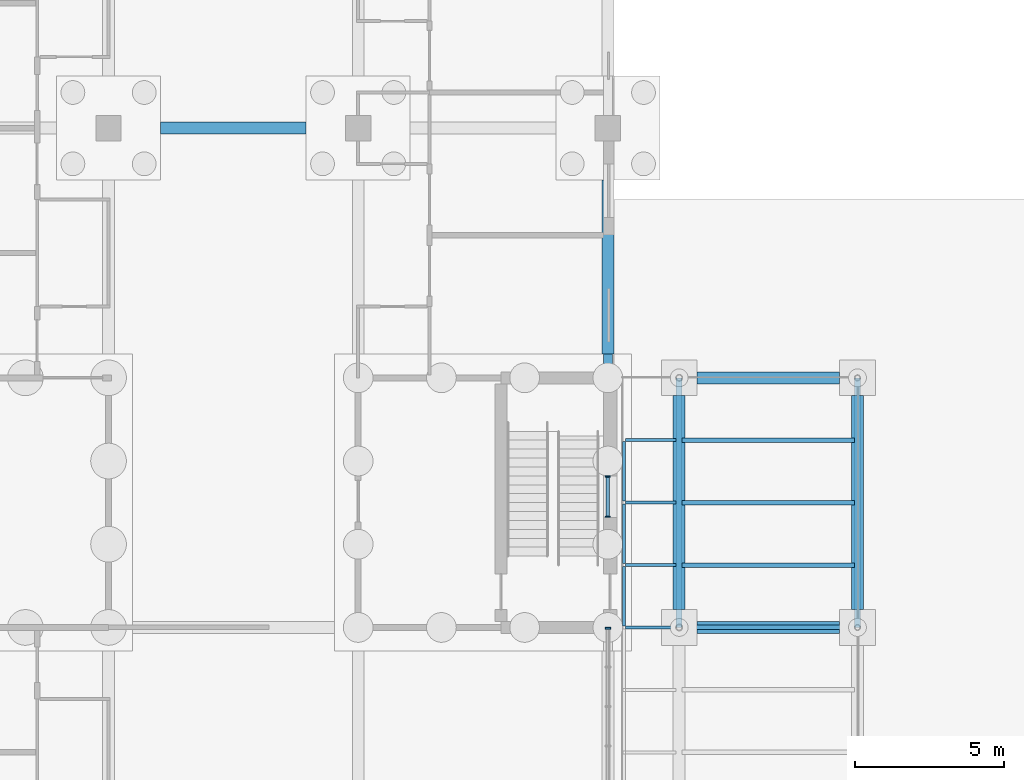
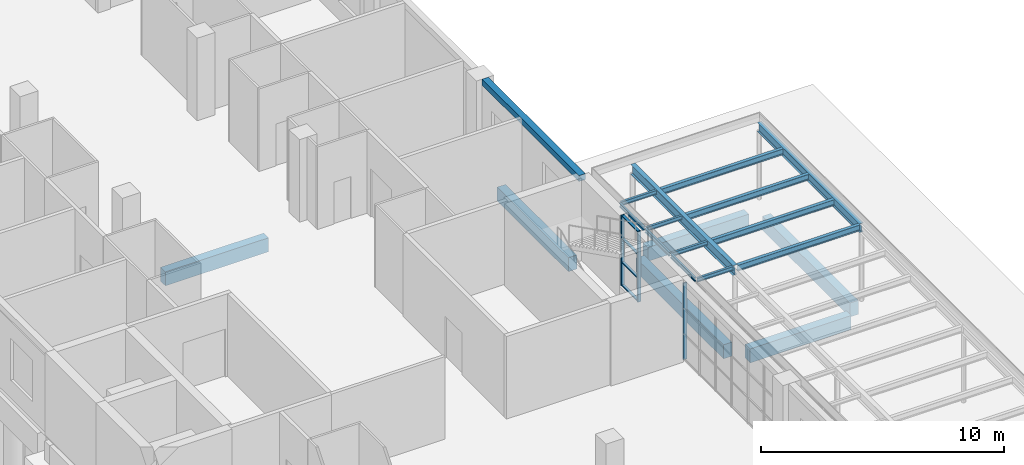
# One storey, part 72 of 138: 20 beams, 7 members, 2 elements without a shape of their own.
"""IFC4 building model written with IfcOpenShell, lengths in metres."""

from ifc_helpers import new_model, si_unit, direction, frame, origin, origin_2d, place, context, subcontext, project, spatial, rectangle, i_section, extrude, material, material_profile, profile_set, type_object, element, aggregate, save


model = new_model("IFC4")

# Units and contexts
model_context = context("Model", 3, precision=1e-05, world=origin(), true_north=direction((0.0, 1.0)))
body_context = subcontext(model_context, "Body", "Model", "MODEL_VIEW")
ifc_project = project(units=[si_unit("LENGTHUNIT", "METRE"), si_unit("AREAUNIT", "SQUARE_METRE"), si_unit("VOLUMEUNIT", "CUBIC_METRE"), si_unit("PLANEANGLEUNIT", "RADIAN"), si_unit("MASSUNIT", "GRAM", prefix="KILO")], contexts=[model_context])

# Site, building, storey
site_placement = place(None, origin())
site = spatial("IfcSite", under=ifc_project, at=site_placement, CompositionType="ELEMENT")
building_placement = place(site_placement, origin())
building = spatial("IfcBuilding", under=site, at=building_placement, Name="Yavir Park General Hospital", CompositionType="ELEMENT")
storey_placement = place(building_placement, origin())
storey = spatial("IfcBuildingStorey", under=building, at=storey_placement, Name="L00", CompositionType="ELEMENT", Elevation=0.0)

# Curtain wall, member
ifc_material_1 = material(Name="Aluminium curtain wall frame with insulated glazing", Category="aluminium")
curtain_wall_type_1 = type_object("IfcCurtainWallType", Name="Ambulance entrance glazing, 3840 high, 1400 module", PredefinedType="NOTDEFINED", material=ifc_material_1)
curtain_wall_1_placement = place(storey_placement, origin())
curtain_wall_1 = element("IfcCurtainWall", 1, at=curtain_wall_1_placement, inside=storey, type_object=curtain_wall_type_1, Name="CW13 L00-075", PredefinedType="NOTDEFINED")
ifc_material_2 = material(Name="Aluminium", Category="aluminium")
ifc_material_profile_1 = material_profile(ifc_material_2, rectangle(XDim=0.179931640625, YDim=0.06005859375, at=origin_2d()), Name="AL 60x180")
ifc_profile_set_1 = profile_set([ifc_material_profile_1], Name="Aluminium")
member_type_1 = type_object("IfcMemberType", Name="Ambulance entrance glazing, 3840 high mullion 60 x 180", PredefinedType="MULLION", material=ifc_profile_set_1)
member_1_placement = place(storey_placement, frame((168.0, 75.570068359375, 0.0), z_axis=(0.0, 0.0, 1.0), x_axis=(-1.0, 0.0, 0.0)))
member_1 = element("IfcMember", 2, at=member_1_placement, type_object=member_type_1, Name="CW13 mullion 7", PredefinedType="MULLION", context=body_context, shape_type="SweptSolid", body=[
    extrude(rectangle(XDim=0.179931640625, YDim=0.06005859375, at=origin_2d()), origin(), (0.0, 0.0, 1.0), 3.840087890625),
])
aggregate(curtain_wall_1, [member_1])

# Beams
ifc_material_3 = material(Name="Steel S355", Category="steel")
ifc_material_profile_2 = material_profile(ifc_material_3, i_section(OverallWidth=0.10009765625, OverallDepth=0.199951171875, WebThickness=0.005615234375, FlangeThickness=0.008544921875, FilletRadius=0.011962890625, at=origin_2d()), Name="IPE200")
ifc_profile_set_2 = profile_set([ifc_material_profile_2], Name="Steel S355")
beam_type_1 = type_object("IfcBeamType", Name="IPE 200 cantilever secondary beam, up to 2 m", PredefinedType="JOIST", material=ifc_profile_set_2)
for number, where, z_axis, x_axis, name in (
    (3, (168.60009765625, 75.60009765625, 3.75), (1.0, 0.0, 0.0), (0.0, 1.0, 0.0), "B:AMB:J12-0"),
    (4, (168.60009765625, 77.699951171875, 3.75), (1.0, 0.0, 0.0), (0.0, 1.0, 0.0), "B:AMB:J13-0"),
    (5, (168.60009765625, 79.800048828125, 3.75), (1.0, 0.0, 0.0), (0.0, 1.0, 0.0), "B:AMB:J14-0"),
    (6, (168.60009765625, 81.89990234375, 3.75), (1.0, 0.0, 0.0), (0.0, 1.0, 0.0), "B:AMB:J15-0"),
):
    element("IfcBeam", number, at=place(storey_placement, frame(where, z_axis=z_axis, x_axis=x_axis)), inside=storey, type_object=beam_type_1, Name=name, PredefinedType="JOIST", context=body_context, shape_type="SweptSolid", body=[
        extrude(i_section(OverallWidth=0.10009765625, OverallDepth=0.199951171875, WebThickness=0.005615234375, FlangeThickness=0.008544921875, FilletRadius=0.011962890625, at=origin_2d()), origin(), (0.0, 0.0, 1.0), 1.699951171875),
    ])
ifc_material_4 = material(Name="Steel S355", Category="steel")
ifc_material_profile_3 = material_profile(ifc_material_4, i_section(OverallWidth=0.10009765625, OverallDepth=0.199951171875, WebThickness=0.005615234375, FlangeThickness=0.008544921875, FilletRadius=0.011962890625, at=origin_2d()), Name="IPE200")
ifc_profile_set_3 = profile_set([ifc_material_profile_3], Name="Steel S355")
beam_type_2 = type_object("IfcBeamType", Name="IPE 200 edge trimmer, up to 2 m span", PredefinedType="BEAM", material=ifc_profile_set_3)
for number, where, z_axis, x_axis, name in (
    (7, (168.550048828125, 75.64990234375, 3.75), (0.0, 1.0, 0.0), (-1.0, 0.0, 0.0), "B:AMB:T12"),
    (8, (168.550048828125, 77.75, 3.75), (0.0, 1.0, 0.0), (-1.0, 0.0, 0.0), "B:AMB:T13"),
    (9, (168.550048828125, 79.85009765625, 3.75), (0.0, 1.0, 0.0), (-1.0, 0.0, 0.0), "B:AMB:T14"),
):
    element("IfcBeam", number, at=place(storey_placement, frame(where, z_axis=z_axis, x_axis=x_axis)), inside=storey, type_object=beam_type_2, Name=name, PredefinedType="BEAM", context=body_context, shape_type="SweptSolid", body=[
        extrude(i_section(OverallWidth=0.10009765625, OverallDepth=0.199951171875, WebThickness=0.005615234375, FlangeThickness=0.008544921875, FilletRadius=0.011962890625, at=origin_2d()), origin(), (0.0, 0.0, 1.0), 2.0),
    ])
ifc_material_5 = material(Name="Steel S355", Category="steel")
ifc_material_profile_4 = material_profile(ifc_material_5, i_section(OverallWidth=0.14990234375, OverallDepth=0.300048828125, WebThickness=0.007080078125, FlangeThickness=0.0107421875, FilletRadius=0.014892578125, at=origin_2d()), Name="IPE300")
ifc_profile_set_4 = profile_set([ifc_material_profile_4], Name="Steel S355")
beam_type_3 = type_object("IfcBeamType", Name="IPE 300 secondary beam, up to 6 m span", PredefinedType="JOIST", material=ifc_profile_set_4)
for number, where, z_axis, x_axis, name in (
    (10, (170.5, 75.60009765625, 3.699951171875), (1.0, 0.0, 0.0), (0.0, 1.0, 0.0), "B:AMB:J12-1"),
    (11, (170.5, 77.699951171875, 3.699951171875), (1.0, 0.0, 0.0), (0.0, 1.0, 0.0), "B:AMB:J13-1"),
    (12, (170.5, 79.800048828125, 3.699951171875), (1.0, 0.0, 0.0), (0.0, 1.0, 0.0), "B:AMB:J14-1"),
    (13, (170.5, 81.89990234375, 3.699951171875), (1.0, 0.0, 0.0), (0.0, 1.0, 0.0), "B:AMB:J15-1"),
):
    element("IfcBeam", number, at=place(storey_placement, frame(where, z_axis=z_axis, x_axis=x_axis)), inside=storey, type_object=beam_type_3, Name=name, PredefinedType="JOIST", context=body_context, shape_type="SweptSolid", body=[
        extrude(i_section(OverallWidth=0.14990234375, OverallDepth=0.300048828125, WebThickness=0.007080078125, FlangeThickness=0.0107421875, FilletRadius=0.014892578125, at=origin_2d()), origin(), (0.0, 0.0, 1.0), 5.804931640625),
    ])
ifc_material_6 = material(Name="Steel S355", Category="steel")
ifc_material_profile_5 = material_profile(ifc_material_6, i_section(OverallWidth=0.18994140625, OverallDepth=0.449951171875, WebThickness=0.009521484375, FlangeThickness=0.0146484375, FilletRadius=0.02099609375, at=origin_2d()), Name="IPE450")
ifc_profile_set_5 = profile_set([ifc_material_profile_5], Name="Steel S355")
beam_type_4 = type_object("IfcBeamType", Name="IPE 450 main beam, outer row, up to 8.5 m span", PredefinedType="BEAM", material=ifc_profile_set_5)
beam_1_placement = place(storey_placement, frame((176.39990234375, 75.60009765625, 3.625), z_axis=(0.0, 1.0, 0.0), x_axis=(-1.0, 0.0, 0.0)))
element("IfcBeam", 14, at=beam_1_placement, inside=storey, type_object=beam_type_4, Name="B:AMB:M13", PredefinedType="BEAM", context=body_context, shape_type="SweptSolid", body=[
    extrude(i_section(OverallWidth=0.18994140625, OverallDepth=0.449951171875, WebThickness=0.009521484375, FlangeThickness=0.0146484375, FilletRadius=0.02099609375, at=origin_2d()), origin(), (0.0, 0.0, 1.0), 8.39990234375),
])
ifc_material_7 = material(Name="Steel S355", Category="steel")
ifc_material_profile_6 = material_profile(ifc_material_7, i_section(OverallWidth=0.199951171875, OverallDepth=0.5, WebThickness=0.01025390625, FlangeThickness=0.01611328125, FilletRadius=0.02099609375, at=origin_2d()), Name="IPE500")
ifc_profile_set_6 = profile_set([ifc_material_profile_6], Name="Steel S355")
beam_type_5 = type_object("IfcBeamType", Name="IPE 500 main beam, inner row, up to 8.5 m span", PredefinedType="BEAM", material=ifc_profile_set_6)
beam_2_placement = place(storey_placement, frame((170.39990234375, 75.60009765625, 3.60009765625), z_axis=(0.0, 1.0, 0.0), x_axis=(-1.0, 0.0, 0.0)))
element("IfcBeam", 15, at=beam_2_placement, inside=storey, type_object=beam_type_5, Name="B:AMB:M03", PredefinedType="BEAM", context=body_context, shape_type="SweptSolid", body=[
    extrude(i_section(OverallWidth=0.199951171875, OverallDepth=0.5, WebThickness=0.01025390625, FlangeThickness=0.01611328125, FilletRadius=0.02099609375, at=origin_2d()), origin(), (0.0, 0.0, 1.0), 8.39990234375),
])
ifc_material_8 = material(Name="Concrete C35/45", Category="concrete")
ifc_material_profile_7 = material_profile(ifc_material_8, rectangle(XDim=0.300048828125, YDim=0.300048828125, at=origin_2d()), Name="RC300x300")
ifc_profile_set_7 = profile_set([ifc_material_profile_7], Name="Concrete C35/45")
beam_type_6 = type_object("IfcBeamType", Name="RC BEAM 300x300 edge beam", PredefinedType="BEAM", material=ifc_profile_set_7)
beam_3_placement = place(storey_placement, frame((168.0, 84.0, 3.989990234375), z_axis=(0.0, 1.0, 0.0), x_axis=(-1.0, 0.0, 0.0)))
element("IfcBeam", 16, at=beam_3_placement, inside=storey, type_object=beam_type_6, Name="B:EDGE:L00:059", PredefinedType="BEAM", context=body_context, shape_type="SweptSolid", body=[
    extrude(rectangle(XDim=0.300048828125, YDim=0.300048828125, at=origin_2d()), origin(), (0.0, 0.0, 1.0), 7.97509765625),
])
ifc_material_9 = material(Name="Concrete C35/45", Category="concrete")
ifc_material_profile_8 = material_profile(ifc_material_9, rectangle(XDim=0.39990234375, YDim=0.699951171875, at=origin_2d()), Name="RC400x700")
ifc_profile_set_8 = profile_set([ifc_material_profile_8], Name="Concrete C35/45")
beam_type_7 = type_object("IfcBeamType", Name="RC BEAM 400x700 ground beam", PredefinedType="BEAM", material=ifc_profile_set_8)
for number, where, z_axis, x_axis, name in (
    (17, (171.0, 75.60009765625, -0.800048828125), (1.0, 0.0, 0.0), (0.0, 1.0, 0.0), "B:GND:AMB:C03:AMB:C13"),
    (18, (171.0, 84.0, -0.800048828125), (1.0, 0.0, 0.0), (0.0, 1.0, 0.0), "B:GND:AMB:C04:AMB:C14"),
):
    element("IfcBeam", number, at=place(storey_placement, frame(where, z_axis=z_axis, x_axis=x_axis)), inside=storey, type_object=beam_type_7, Name=name, PredefinedType="BEAM", context=body_context, shape_type="SweptSolid", body=[
        extrude(rectangle(XDim=0.39990234375, YDim=0.699951171875, at=origin_2d()), origin(), (0.0, 0.0, 1.0), 4.800048828125),
    ])
beam_4_placement = place(storey_placement, frame((152.949951171875, 92.39990234375, -0.800048828125), z_axis=(1.0, 0.0, 0.0), x_axis=(0.0, 1.0, 0.0)))
element("IfcBeam", 19, at=beam_4_placement, inside=storey, type_object=beam_type_7, Name="B:GND:L00:19M:L00:20M", PredefinedType="BEAM", context=body_context, shape_type="SweptSolid", body=[
    extrude(rectangle(XDim=0.39990234375, YDim=0.699951171875, at=origin_2d()), origin(), (0.0, 0.0, 1.0), 4.900146484375),
])
for number, where, z_axis, x_axis, name in (
    (20, (170.39990234375, 76.199951171875, -0.800048828125), (0.0, 1.0, 0.0), (-1.0, 0.0, 0.0), "B:GND:AMB:C03:AMB:C04"),
    (21, (176.39990234375, 76.199951171875, -0.800048828125), (0.0, 1.0, 0.0), (-1.0, 0.0, 0.0), "B:GND:AMB:C13:AMB:C14"),
):
    element("IfcBeam", number, at=place(storey_placement, frame(where, z_axis=z_axis, x_axis=x_axis)), inside=storey, type_object=beam_type_7, Name=name, PredefinedType="BEAM", context=body_context, shape_type="SweptSolid", body=[
        extrude(rectangle(XDim=0.39990234375, YDim=0.699951171875, at=origin_2d()), origin(), (0.0, 0.0, 1.0), 7.199951171875),
    ])
beam_5_placement = place(storey_placement, frame((168.0, 84.800048828125, -0.800048828125), z_axis=(0.0, 1.0, 0.0), x_axis=(-1.0, 0.0, 0.0)))
element("IfcBeam", 22, at=beam_5_placement, inside=storey, type_object=beam_type_7, Name="B:GND:L00:ES2:L00:21M", PredefinedType="BEAM", context=body_context, shape_type="SweptSolid", body=[
    extrude(rectangle(XDim=0.39990234375, YDim=0.699951171875, at=origin_2d()), origin(), (0.0, 0.0, 1.0), 5.849853515625),
])

# Curtain wall, members
ifc_material_10 = material(Name="Aluminium curtain wall frame with insulated glazing", Category="aluminium")
curtain_wall_type_2 = type_object("IfcCurtainWallType", Name="Stair light slot, ground floor, 3540 high, 1400 module", PredefinedType="NOTDEFINED", material=ifc_material_10)
curtain_wall_2_placement = place(storey_placement, origin())
curtain_wall_2 = element("IfcCurtainWall", 23, at=curtain_wall_2_placement, inside=storey, type_object=curtain_wall_type_2, Name="CW19 L00-076", PredefinedType="NOTDEFINED")
ifc_material_11 = material(Name="Aluminium", Category="aluminium")
ifc_material_profile_9 = material_profile(ifc_material_11, rectangle(XDim=0.159912109375, YDim=0.050048828125, at=origin_2d()), Name="AL 50x160")
ifc_profile_set_9 = profile_set([ifc_material_profile_9], Name="Aluminium")
member_type_2 = type_object("IfcMemberType", Name="Stair light slot, ground floor, 3540 high mullion 50 x 160", PredefinedType="MULLION", material=ifc_profile_set_9)
member_2_placement = place(storey_placement, frame((168.0, 79.324951171875, 0.60009765625), z_axis=(0.0, 0.0, 1.0), x_axis=(-1.0, 0.0, 0.0)))
member_2 = element("IfcMember", 24, at=member_2_placement, type_object=member_type_2, Name="CW19 mullion 1", PredefinedType="MULLION", context=body_context, shape_type="SweptSolid", body=[
    extrude(rectangle(XDim=0.159912109375, YDim=0.050048828125, at=origin_2d()), origin(), (0.0, 0.0, 1.0), 3.539794921875),
])
member_3_placement = place(storey_placement, frame((168.0, 80.675048828125, 0.60009765625), z_axis=(0.0, 0.0, 1.0), x_axis=(-1.0, 0.0, 0.0)))
member_3 = element("IfcMember", 25, at=member_3_placement, type_object=member_type_2, Name="CW19 mullion 2", PredefinedType="MULLION", context=body_context, shape_type="SweptSolid", body=[
    extrude(rectangle(XDim=0.159912109375, YDim=0.050048828125, at=origin_2d()), origin(), (0.0, 0.0, 1.0), 3.539794921875),
])
ifc_material_12 = material(Name="Aluminium", Category="aluminium")
ifc_material_profile_10 = material_profile(ifc_material_12, rectangle(XDim=0.1201171875, YDim=0.050048828125, at=origin_2d()), Name="AL 120x50")
ifc_profile_set_10 = profile_set([ifc_material_profile_10], Name="Aluminium")
member_type_3 = type_object("IfcMemberType", Name="Stair light slot, ground floor, 3540 high transom 50 x 120", PredefinedType="MULLION", material=ifc_profile_set_10)
member_4_placement = place(storey_placement, frame((168.0, 79.35009765625, 0.625), z_axis=(0.0, 1.0, 0.0), x_axis=(-1.0, 0.0, 0.0)))
member_4 = element("IfcMember", 26, at=member_4_placement, type_object=member_type_3, Name="CW19 transom 1.1", PredefinedType="MULLION", context=body_context, shape_type="SweptSolid", body=[
    extrude(rectangle(XDim=0.1201171875, YDim=0.050048828125, at=origin_2d()), origin(), (0.0, 0.0, 1.0), 1.2998046875),
])
member_5_placement = place(storey_placement, frame((168.0, 79.35009765625, 1.780029296875), z_axis=(0.0, 1.0, 0.0), x_axis=(-1.0, 0.0, 0.0)))
member_5 = element("IfcMember", 27, at=member_5_placement, type_object=member_type_3, Name="CW19 transom 1.2", PredefinedType="MULLION", context=body_context, shape_type="SweptSolid", body=[
    extrude(rectangle(XDim=0.1201171875, YDim=0.050048828125, at=origin_2d()), origin(), (0.0, 0.0, 1.0), 1.2998046875),
])
member_6_placement = place(storey_placement, frame((168.0, 79.35009765625, 2.9599609375), z_axis=(0.0, 1.0, 0.0), x_axis=(-1.0, 0.0, 0.0)))
member_6 = element("IfcMember", 28, at=member_6_placement, type_object=member_type_3, Name="CW19 transom 1.3", PredefinedType="MULLION", context=body_context, shape_type="SweptSolid", body=[
    extrude(rectangle(XDim=0.1201171875, YDim=0.050048828125, at=origin_2d()), origin(), (0.0, 0.0, 1.0), 1.2998046875),
])
member_7_placement = place(storey_placement, frame((168.0, 79.35009765625, 4.114990234375), z_axis=(0.0, 1.0, 0.0), x_axis=(-1.0, 0.0, 0.0)))
member_7 = element("IfcMember", 29, at=member_7_placement, type_object=member_type_3, Name="CW19 transom 1.4", PredefinedType="MULLION", context=body_context, shape_type="SweptSolid", body=[
    extrude(rectangle(XDim=0.1201171875, YDim=0.050048828125, at=origin_2d()), origin(), (0.0, 0.0, 1.0), 1.2998046875),
])
aggregate(curtain_wall_2, [member_2, member_3, member_4, member_5, member_6, member_7])

save(model, "model.ifc")
